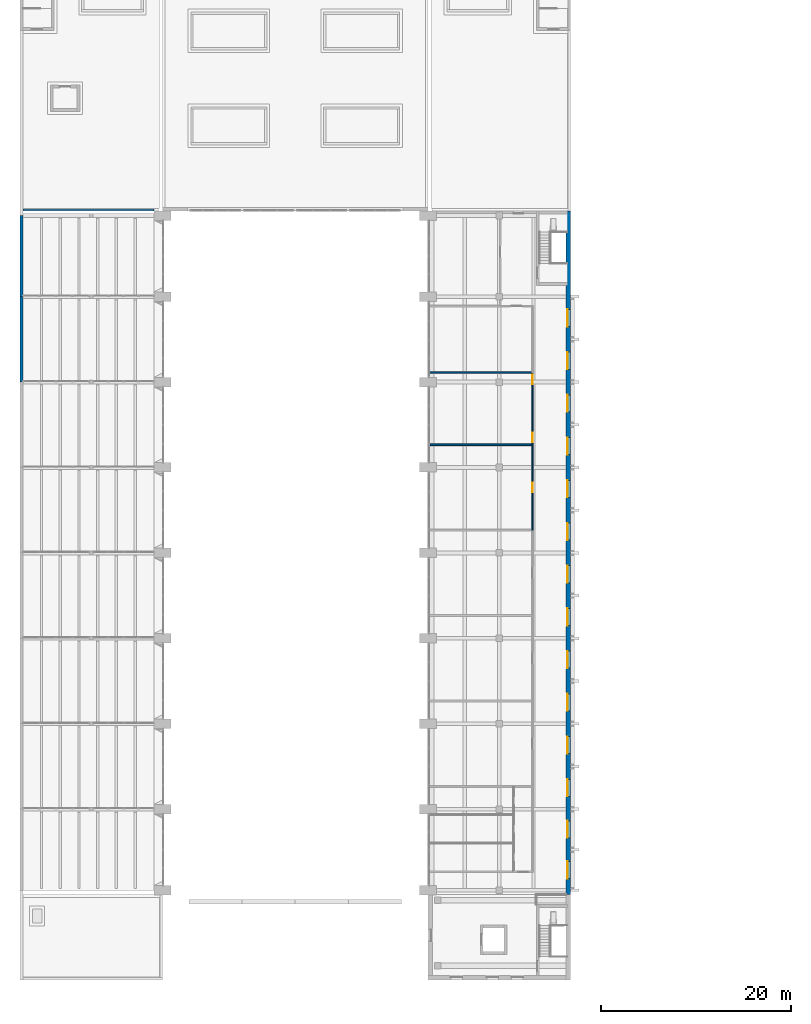
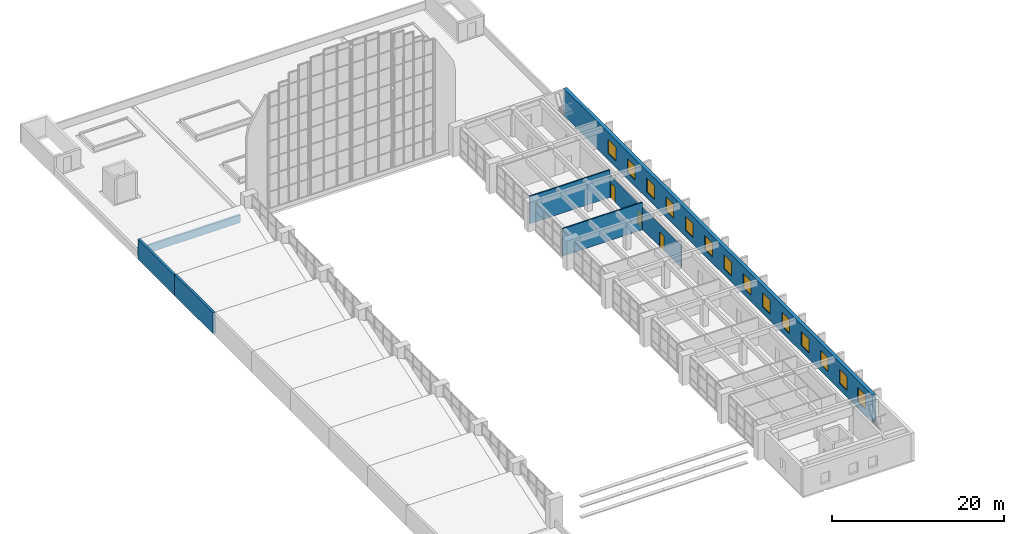
# One storey, part 32 of 43: 14 windows, 8 walls, 3 doors, 17 openings.
"""IFC4 building model written with IfcOpenShell, lengths in metres."""

from ifc_helpers import new_model, si_unit, direction, frame, frame_2d, origin, place, context, subcontext, project, spatial, rectangle, extrude, material, layer, layer_set, type_object, element, fill, save


model = new_model("IFC4")

# Units and contexts
model_context = context("Model", 3, precision=1e-05, world=origin(), true_north=direction((0.0, 1.0)))
body_context = subcontext(model_context, "Body", "Model", "MODEL_VIEW")
ifc_project = project(units=[si_unit("LENGTHUNIT", "METRE"), si_unit("AREAUNIT", "SQUARE_METRE"), si_unit("VOLUMEUNIT", "CUBIC_METRE"), si_unit("PLANEANGLEUNIT", "RADIAN"), si_unit("MASSUNIT", "GRAM", prefix="KILO")], contexts=[model_context])

# Site, building, storey
site_placement = place(None, origin())
site = spatial("IfcSite", under=ifc_project, at=site_placement, CompositionType="ELEMENT")
building_placement = place(site_placement, origin())
building = spatial("IfcBuilding", under=site, at=building_placement, Name="Elmora Arch Market Hall", CompositionType="ELEMENT")
storey_placement = place(building_placement, frame((0.0, 0.0, 10.199951171875)))
storey = spatial("IfcBuildingStorey", under=building, at=storey_placement, Name="L02", CompositionType="ELEMENT", Elevation=10.199951171875)

# Wall, openings, windows
ifc_material_1 = material(Name="Concrete C40/50", Category="concrete")
ifc_layer_1 = layer(ifc_material_1, 0.449951171875)
ifc_layer_set_1 = layer_set([ifc_layer_1], Name="Concrete C40/50")
wall_type_1 = type_object("IfcWallType", Name="Board-marked concrete wall 450", PredefinedType="SOLIDWALL", material=ifc_layer_set_1)
wall_1_placement = place(storey_placement, frame((57.77490234375, 99.0, 0.0), z_axis=(0.0, 0.0, 1.0), x_axis=(0.0, -1.0, 0.0)))
wall_1 = element("IfcWall", 1, at=wall_1_placement, inside=storey, type_object=wall_type_1, Name="Facade wall east EW L02", PredefinedType="SOLIDWALL", context=body_context, shape_type="SweptSolid", body=[
    extrude(rectangle(XDim=72.0, YDim=0.449951171875, at=frame_2d((36.0, 0.0))), origin(), (0.0, 0.0, 1.0), 3.900146484375),
])
opening_1_placement = place(wall_1_placement, frame((68.512451171875, 0.0, 0.89990234375)))
opening_1 = element("IfcOpeningElement", 2, at=opening_1_placement, cuts=wall_1, Name="Opening WA1", PredefinedType="OPENING", context=body_context, shape_type="SweptSolid", body=[
    extrude(rectangle(XDim=1.800048828125, YDim=2.0, at=frame_2d((0.89990234375, 1.0))), frame((0.0, 0.23486328125, 0.0), z_axis=(0.0, -1.0, 0.0), x_axis=(1.0, 0.0, 0.0)), (0.0, 0.0, 1.0), 0.469970703125),
])
opening_2_placement = place(wall_1_placement, frame((64.237548828125, 0.0, 0.89990234375)))
opening_2 = element("IfcOpeningElement", 3, at=opening_2_placement, cuts=wall_1, Name="Opening WA1", PredefinedType="OPENING", context=body_context, shape_type="SweptSolid", body=[
    extrude(rectangle(XDim=1.800048828125, YDim=2.0, at=frame_2d((0.89990234375, 1.0))), frame((0.0, 0.23486328125, 0.0), z_axis=(0.0, -1.0, 0.0), x_axis=(1.0, 0.0, 0.0)), (0.0, 0.0, 1.0), 0.469970703125),
])
opening_3_placement = place(wall_1_placement, frame((59.85009765625, 0.0, 0.89990234375)))
opening_3 = element("IfcOpeningElement", 4, at=opening_3_placement, cuts=wall_1, Name="Opening WA1", PredefinedType="OPENING", context=body_context, shape_type="SweptSolid", body=[
    extrude(rectangle(XDim=1.800048828125, YDim=2.0, at=frame_2d((0.89990234375, 1.0))), frame((0.0, 0.23486328125, 0.0), z_axis=(0.0, -1.0, 0.0), x_axis=(1.0, 0.0, 0.0)), (0.0, 0.0, 1.0), 0.469970703125),
])
opening_4_placement = place(wall_1_placement, frame((55.35009765625, 0.0, 0.89990234375)))
opening_4 = element("IfcOpeningElement", 5, at=opening_4_placement, cuts=wall_1, Name="Opening WA1", PredefinedType="OPENING", context=body_context, shape_type="SweptSolid", body=[
    extrude(rectangle(XDim=1.800048828125, YDim=2.0, at=frame_2d((0.89990234375, 1.0))), frame((0.0, 0.23486328125, 0.0), z_axis=(0.0, -1.0, 0.0), x_axis=(1.0, 0.0, 0.0)), (0.0, 0.0, 1.0), 0.469970703125),
])
opening_5_placement = place(wall_1_placement, frame((50.85009765625, 0.0, 0.89990234375)))
opening_5 = element("IfcOpeningElement", 6, at=opening_5_placement, cuts=wall_1, Name="Opening WA1", PredefinedType="OPENING", context=body_context, shape_type="SweptSolid", body=[
    extrude(rectangle(XDim=1.800048828125, YDim=2.0, at=frame_2d((0.89990234375, 1.0))), frame((0.0, 0.23486328125, 0.0), z_axis=(0.0, -1.0, 0.0), x_axis=(1.0, 0.0, 0.0)), (0.0, 0.0, 1.0), 0.469970703125),
])
opening_6_placement = place(wall_1_placement, frame((46.35009765625, 0.0, 0.89990234375)))
opening_6 = element("IfcOpeningElement", 7, at=opening_6_placement, cuts=wall_1, Name="Opening WA1", PredefinedType="OPENING", context=body_context, shape_type="SweptSolid", body=[
    extrude(rectangle(XDim=1.800048828125, YDim=2.0, at=frame_2d((0.89990234375, 1.0))), frame((0.0, 0.23486328125, 0.0), z_axis=(0.0, -1.0, 0.0), x_axis=(1.0, 0.0, 0.0)), (0.0, 0.0, 1.0), 0.469970703125),
])
opening_7_placement = place(wall_1_placement, frame((41.85009765625, 0.0, 0.89990234375)))
opening_7 = element("IfcOpeningElement", 8, at=opening_7_placement, cuts=wall_1, Name="Opening WA1", PredefinedType="OPENING", context=body_context, shape_type="SweptSolid", body=[
    extrude(rectangle(XDim=1.800048828125, YDim=2.0, at=frame_2d((0.89990234375, 1.0))), frame((0.0, 0.23486328125, 0.0), z_axis=(0.0, -1.0, 0.0), x_axis=(1.0, 0.0, 0.0)), (0.0, 0.0, 1.0), 0.469970703125),
])
opening_8_placement = place(wall_1_placement, frame((37.35009765625, 0.0, 0.89990234375)))
opening_8 = element("IfcOpeningElement", 9, at=opening_8_placement, cuts=wall_1, Name="Opening WA1", PredefinedType="OPENING", context=body_context, shape_type="SweptSolid", body=[
    extrude(rectangle(XDim=1.800048828125, YDim=2.0, at=frame_2d((0.89990234375, 1.0))), frame((0.0, 0.23486328125, 0.0), z_axis=(0.0, -1.0, 0.0), x_axis=(1.0, 0.0, 0.0)), (0.0, 0.0, 1.0), 0.469970703125),
])
opening_9_placement = place(wall_1_placement, frame((32.85009765625, 0.0, 0.89990234375)))
opening_9 = element("IfcOpeningElement", 10, at=opening_9_placement, cuts=wall_1, Name="Opening WA1", PredefinedType="OPENING", context=body_context, shape_type="SweptSolid", body=[
    extrude(rectangle(XDim=1.800048828125, YDim=2.0, at=frame_2d((0.89990234375, 1.0))), frame((0.0, 0.23486328125, 0.0), z_axis=(0.0, -1.0, 0.0), x_axis=(1.0, 0.0, 0.0)), (0.0, 0.0, 1.0), 0.469970703125),
])
opening_10_placement = place(wall_1_placement, frame((28.35009765625, 0.0, 0.89990234375)))
opening_10 = element("IfcOpeningElement", 11, at=opening_10_placement, cuts=wall_1, Name="Opening WA1", PredefinedType="OPENING", context=body_context, shape_type="SweptSolid", body=[
    extrude(rectangle(XDim=1.800048828125, YDim=2.0, at=frame_2d((0.89990234375, 1.0))), frame((0.0, 0.23486328125, 0.0), z_axis=(0.0, -1.0, 0.0), x_axis=(1.0, 0.0, 0.0)), (0.0, 0.0, 1.0), 0.469970703125),
])
opening_11_placement = place(wall_1_placement, frame((23.85009765625, 0.0, 0.89990234375)))
opening_11 = element("IfcOpeningElement", 12, at=opening_11_placement, cuts=wall_1, Name="Opening WA1", PredefinedType="OPENING", context=body_context, shape_type="SweptSolid", body=[
    extrude(rectangle(XDim=1.800048828125, YDim=2.0, at=frame_2d((0.89990234375, 1.0))), frame((0.0, 0.23486328125, 0.0), z_axis=(0.0, -1.0, 0.0), x_axis=(1.0, 0.0, 0.0)), (0.0, 0.0, 1.0), 0.469970703125),
])
opening_12_placement = place(wall_1_placement, frame((19.35009765625, 0.0, 0.89990234375)))
opening_12 = element("IfcOpeningElement", 13, at=opening_12_placement, cuts=wall_1, Name="Opening WA1", PredefinedType="OPENING", context=body_context, shape_type="SweptSolid", body=[
    extrude(rectangle(XDim=1.800048828125, YDim=2.0, at=frame_2d((0.89990234375, 1.0))), frame((0.0, 0.23486328125, 0.0), z_axis=(0.0, -1.0, 0.0), x_axis=(1.0, 0.0, 0.0)), (0.0, 0.0, 1.0), 0.469970703125),
])
opening_13_placement = place(wall_1_placement, frame((14.85009765625, 0.0, 0.89990234375)))
opening_13 = element("IfcOpeningElement", 14, at=opening_13_placement, cuts=wall_1, Name="Opening WA1", PredefinedType="OPENING", context=body_context, shape_type="SweptSolid", body=[
    extrude(rectangle(XDim=1.800048828125, YDim=2.0, at=frame_2d((0.89990234375, 1.0))), frame((0.0, 0.23486328125, 0.0), z_axis=(0.0, -1.0, 0.0), x_axis=(1.0, 0.0, 0.0)), (0.0, 0.0, 1.0), 0.469970703125),
])
opening_14_placement = place(wall_1_placement, frame((10.35009765625, 0.0, 0.89990234375)))
opening_14 = element("IfcOpeningElement", 15, at=opening_14_placement, cuts=wall_1, Name="Opening WA1", PredefinedType="OPENING", context=body_context, shape_type="SweptSolid", body=[
    extrude(rectangle(XDim=1.800048828125, YDim=2.0, at=frame_2d((0.89990234375, 1.0))), frame((0.0, 0.23486328125, 0.0), z_axis=(0.0, -1.0, 0.0), x_axis=(1.0, 0.0, 0.0)), (0.0, 0.0, 1.0), 0.469970703125),
])
ifc_material_2 = material(Name="Aluminium", Category="aluminium")
window_type = type_object("IfcWindowType", Name="Arcade window 1800x2000", PartitioningType="SINGLE_PANEL", PredefinedType="WINDOW", material=ifc_material_2)
window_1_placement = place(opening_1_placement, origin())
window_1 = element("IfcWindow", 16, at=window_1_placement, inside=storey, type_object=window_type, Name="Window WA1 L02 E17", OverallHeight=2.0, OverallWidth=1.800048828125, PartitioningType="SINGLE_PANEL", PredefinedType="WINDOW", context=body_context, shape_type="SweptSolid", body=[
    extrude(rectangle(XDim=1.800048828125, YDim=2.0, at=frame_2d((0.89990234375, 1.0))), frame((0.0, -0.074951171875, 0.0), z_axis=(0.0, -1.0, 0.0), x_axis=(1.0, 0.0, 0.0)), (0.0, 0.0, 1.0), 0.06005859375),
])
fill(opening_1, window_1)
window_2_placement = place(opening_2_placement, origin())
window_2 = element("IfcWindow", 17, at=window_2_placement, inside=storey, type_object=window_type, Name="Window WA1 L02 E18", OverallHeight=2.0, OverallWidth=1.800048828125, PartitioningType="SINGLE_PANEL", PredefinedType="WINDOW", context=body_context, shape_type="SweptSolid", body=[
    extrude(rectangle(XDim=1.800048828125, YDim=2.0, at=frame_2d((0.89990234375, 1.0))), frame((0.0, -0.074951171875, 0.0), z_axis=(0.0, -1.0, 0.0), x_axis=(1.0, 0.0, 0.0)), (0.0, 0.0, 1.0), 0.06005859375),
])
fill(opening_2, window_2)
window_3_placement = place(opening_3_placement, origin())
window_3 = element("IfcWindow", 18, at=window_3_placement, inside=storey, type_object=window_type, Name="Window WA1 L02 E19", OverallHeight=2.0, OverallWidth=1.800048828125, PartitioningType="SINGLE_PANEL", PredefinedType="WINDOW", context=body_context, shape_type="SweptSolid", body=[
    extrude(rectangle(XDim=1.800048828125, YDim=2.0, at=frame_2d((0.89990234375, 1.0))), frame((0.0, -0.074951171875, 0.0), z_axis=(0.0, -1.0, 0.0), x_axis=(1.0, 0.0, 0.0)), (0.0, 0.0, 1.0), 0.06005859375),
])
fill(opening_3, window_3)
window_4_placement = place(opening_4_placement, origin())
window_4 = element("IfcWindow", 19, at=window_4_placement, inside=storey, type_object=window_type, Name="Window WA1 L02 E20", OverallHeight=2.0, OverallWidth=1.800048828125, PartitioningType="SINGLE_PANEL", PredefinedType="WINDOW", context=body_context, shape_type="SweptSolid", body=[
    extrude(rectangle(XDim=1.800048828125, YDim=2.0, at=frame_2d((0.89990234375, 1.0))), frame((0.0, -0.074951171875, 0.0), z_axis=(0.0, -1.0, 0.0), x_axis=(1.0, 0.0, 0.0)), (0.0, 0.0, 1.0), 0.06005859375),
])
fill(opening_4, window_4)
window_5_placement = place(opening_5_placement, origin())
window_5 = element("IfcWindow", 20, at=window_5_placement, inside=storey, type_object=window_type, Name="Window WA1 L02 E21", OverallHeight=2.0, OverallWidth=1.800048828125, PartitioningType="SINGLE_PANEL", PredefinedType="WINDOW", context=body_context, shape_type="SweptSolid", body=[
    extrude(rectangle(XDim=1.800048828125, YDim=2.0, at=frame_2d((0.89990234375, 1.0))), frame((0.0, -0.074951171875, 0.0), z_axis=(0.0, -1.0, 0.0), x_axis=(1.0, 0.0, 0.0)), (0.0, 0.0, 1.0), 0.06005859375),
])
fill(opening_5, window_5)
window_6_placement = place(opening_6_placement, origin())
window_6 = element("IfcWindow", 21, at=window_6_placement, inside=storey, type_object=window_type, Name="Window WA1 L02 E22", OverallHeight=2.0, OverallWidth=1.800048828125, PartitioningType="SINGLE_PANEL", PredefinedType="WINDOW", context=body_context, shape_type="SweptSolid", body=[
    extrude(rectangle(XDim=1.800048828125, YDim=2.0, at=frame_2d((0.89990234375, 1.0))), frame((0.0, -0.074951171875, 0.0), z_axis=(0.0, -1.0, 0.0), x_axis=(1.0, 0.0, 0.0)), (0.0, 0.0, 1.0), 0.06005859375),
])
fill(opening_6, window_6)
window_7_placement = place(opening_7_placement, origin())
window_7 = element("IfcWindow", 22, at=window_7_placement, inside=storey, type_object=window_type, Name="Window WA1 L02 E23", OverallHeight=2.0, OverallWidth=1.800048828125, PartitioningType="SINGLE_PANEL", PredefinedType="WINDOW", context=body_context, shape_type="SweptSolid", body=[
    extrude(rectangle(XDim=1.800048828125, YDim=2.0, at=frame_2d((0.89990234375, 1.0))), frame((0.0, -0.074951171875, 0.0), z_axis=(0.0, -1.0, 0.0), x_axis=(1.0, 0.0, 0.0)), (0.0, 0.0, 1.0), 0.06005859375),
])
fill(opening_7, window_7)
window_8_placement = place(opening_8_placement, origin())
window_8 = element("IfcWindow", 23, at=window_8_placement, inside=storey, type_object=window_type, Name="Window WA1 L02 E24", OverallHeight=2.0, OverallWidth=1.800048828125, PartitioningType="SINGLE_PANEL", PredefinedType="WINDOW", context=body_context, shape_type="SweptSolid", body=[
    extrude(rectangle(XDim=1.800048828125, YDim=2.0, at=frame_2d((0.89990234375, 1.0))), frame((0.0, -0.074951171875, 0.0), z_axis=(0.0, -1.0, 0.0), x_axis=(1.0, 0.0, 0.0)), (0.0, 0.0, 1.0), 0.06005859375),
])
fill(opening_8, window_8)
window_9_placement = place(opening_9_placement, origin())
window_9 = element("IfcWindow", 24, at=window_9_placement, inside=storey, type_object=window_type, Name="Window WA1 L02 E25", OverallHeight=2.0, OverallWidth=1.800048828125, PartitioningType="SINGLE_PANEL", PredefinedType="WINDOW", context=body_context, shape_type="SweptSolid", body=[
    extrude(rectangle(XDim=1.800048828125, YDim=2.0, at=frame_2d((0.89990234375, 1.0))), frame((0.0, -0.074951171875, 0.0), z_axis=(0.0, -1.0, 0.0), x_axis=(1.0, 0.0, 0.0)), (0.0, 0.0, 1.0), 0.06005859375),
])
fill(opening_9, window_9)
window_10_placement = place(opening_10_placement, origin())
window_10 = element("IfcWindow", 25, at=window_10_placement, inside=storey, type_object=window_type, Name="Window WA1 L02 E26", OverallHeight=2.0, OverallWidth=1.800048828125, PartitioningType="SINGLE_PANEL", PredefinedType="WINDOW", context=body_context, shape_type="SweptSolid", body=[
    extrude(rectangle(XDim=1.800048828125, YDim=2.0, at=frame_2d((0.89990234375, 1.0))), frame((0.0, -0.074951171875, 0.0), z_axis=(0.0, -1.0, 0.0), x_axis=(1.0, 0.0, 0.0)), (0.0, 0.0, 1.0), 0.06005859375),
])
fill(opening_10, window_10)
window_11_placement = place(opening_11_placement, origin())
window_11 = element("IfcWindow", 26, at=window_11_placement, inside=storey, type_object=window_type, Name="Window WA1 L02 E27", OverallHeight=2.0, OverallWidth=1.800048828125, PartitioningType="SINGLE_PANEL", PredefinedType="WINDOW", context=body_context, shape_type="SweptSolid", body=[
    extrude(rectangle(XDim=1.800048828125, YDim=2.0, at=frame_2d((0.89990234375, 1.0))), frame((0.0, -0.074951171875, 0.0), z_axis=(0.0, -1.0, 0.0), x_axis=(1.0, 0.0, 0.0)), (0.0, 0.0, 1.0), 0.06005859375),
])
fill(opening_11, window_11)
window_12_placement = place(opening_12_placement, origin())
window_12 = element("IfcWindow", 27, at=window_12_placement, inside=storey, type_object=window_type, Name="Window WA1 L02 E28", OverallHeight=2.0, OverallWidth=1.800048828125, PartitioningType="SINGLE_PANEL", PredefinedType="WINDOW", context=body_context, shape_type="SweptSolid", body=[
    extrude(rectangle(XDim=1.800048828125, YDim=2.0, at=frame_2d((0.89990234375, 1.0))), frame((0.0, -0.074951171875, 0.0), z_axis=(0.0, -1.0, 0.0), x_axis=(1.0, 0.0, 0.0)), (0.0, 0.0, 1.0), 0.06005859375),
])
fill(opening_12, window_12)
window_13_placement = place(opening_13_placement, origin())
window_13 = element("IfcWindow", 28, at=window_13_placement, inside=storey, type_object=window_type, Name="Window WA1 L02 E29", OverallHeight=2.0, OverallWidth=1.800048828125, PartitioningType="SINGLE_PANEL", PredefinedType="WINDOW", context=body_context, shape_type="SweptSolid", body=[
    extrude(rectangle(XDim=1.800048828125, YDim=2.0, at=frame_2d((0.89990234375, 1.0))), frame((0.0, -0.074951171875, 0.0), z_axis=(0.0, -1.0, 0.0), x_axis=(1.0, 0.0, 0.0)), (0.0, 0.0, 1.0), 0.06005859375),
])
fill(opening_13, window_13)
window_14_placement = place(opening_14_placement, origin())
window_14 = element("IfcWindow", 29, at=window_14_placement, inside=storey, type_object=window_type, Name="Window WA1 L02 E30", OverallHeight=2.0, OverallWidth=1.800048828125, PartitioningType="SINGLE_PANEL", PredefinedType="WINDOW", context=body_context, shape_type="SweptSolid", body=[
    extrude(rectangle(XDim=1.800048828125, YDim=2.0, at=frame_2d((0.89990234375, 1.0))), frame((0.0, -0.074951171875, 0.0), z_axis=(0.0, -1.0, 0.0), x_axis=(1.0, 0.0, 0.0)), (0.0, 0.0, 1.0), 0.06005859375),
])
fill(opening_14, window_14)

# Wall
ifc_material_3 = material(Name="Concrete C40/50", Category="concrete")
ifc_layer_2 = layer(ifc_material_3, 0.25)
ifc_layer_set_2 = layer_set([ifc_layer_2], Name="Concrete C40/50")
wall_type_2 = type_object("IfcWallType", Name="Concrete parapet 250", PredefinedType="PARAPET", material=ifc_layer_set_2)
wall_2_placement = place(storey_placement, frame((14.10009765625, 99.125, 0.0), z_axis=(0.0, 0.0, 1.0), x_axis=(-1.0, 0.0, 0.0)))
element("IfcWall", 30, at=wall_2_placement, inside=storey, type_object=wall_type_2, Name="Garden parapet south W", PredefinedType="PARAPET", context=body_context, shape_type="SweptSolid", body=[
    extrude(rectangle(XDim=13.800048828125, YDim=0.25, at=frame_2d((6.89990234375, 0.0))), origin(), (0.0, 0.0, 1.0), 1.10009765625),
])

# Wall, opening, door
ifc_material_4 = material(Name="Gypsum board on metal studs")
ifc_layer_3 = layer(ifc_material_4, 0.125)
ifc_layer_set_3 = layer_set([ifc_layer_3], Name="Gypsum board on metal studs")
wall_type_3 = type_object("IfcWallType", Name="Partition 125 EI 60", PredefinedType="PARTITIONING", material=ifc_layer_set_3)
wall_3_placement = place(storey_placement, frame((54.0, 65.39990234375, 0.0), z_axis=(0.0, 0.0, 1.0), x_axis=(0.0, 1.0, 0.0)))
wall_3 = element("IfcWall", 31, at=wall_3_placement, inside=storey, type_object=wall_type_3, Name="Partition PT-L02-039", PredefinedType="PARTITIONING", context=body_context, shape_type="SweptSolid", body=[
    extrude(rectangle(XDim=9.0, YDim=0.125, at=frame_2d((4.5, 0.0))), origin(), (0.0, 0.0, 1.0), 3.150146484375),
])
opening_15_placement = place(wall_3_placement, frame((4.0, 0.0, 0.0)))
opening_15 = element("IfcOpeningElement", 32, at=opening_15_placement, cuts=wall_3, Name="Opening D-L02-008", PredefinedType="OPENING", context=body_context, shape_type="SweptSolid", body=[
    extrude(rectangle(XDim=1.0, YDim=2.10009765625, at=frame_2d((0.5, 1.050048828125))), frame((0.0, 0.072509765625, 0.0), z_axis=(0.0, -1.0, 0.0), x_axis=(1.0, 0.0, 0.0)), (0.0, 0.0, 1.0), 0.14501953125),
])
ifc_material_5 = material(Name="Steel ASTM A653 galvanised", Category="steel")
door_type = type_object("IfcDoorType", Name="Door 1000 x 2100 FD45", OperationType="SINGLE_SWING_LEFT", PredefinedType="DOOR", material=ifc_material_5)
door_1_placement = place(opening_15_placement, origin())
door_1 = element("IfcDoor", 33, at=door_1_placement, inside=storey, type_object=door_type, Name="D-L02-008", OperationType="SINGLE_SWING_LEFT", OverallHeight=2.10009765625, OverallWidth=1.0, PredefinedType="DOOR", context=body_context, shape_type="SweptSolid", body=[
    extrude(rectangle(XDim=1.0, YDim=2.10009765625, at=frame_2d((0.5, 1.050048828125))), frame((0.0, 0.02490234375, 0.0), z_axis=(0.0, -1.0, 0.0), x_axis=(1.0, 0.0, 0.0)), (0.0, 0.0, 1.0), 0.050048828125),
])
fill(opening_15, door_1)

# Wall, openings, doors
wall_4_placement = place(storey_placement, frame((54.0, 74.39990234375, 0.0), z_axis=(0.0, 0.0, 1.0), x_axis=(0.0, 1.0, 0.0)))
wall_4 = element("IfcWall", 34, at=wall_4_placement, inside=storey, type_object=wall_type_3, Name="Partition PT-L02-040", PredefinedType="PARTITIONING", context=body_context, shape_type="SweptSolid", body=[
    extrude(rectangle(XDim=7.60009765625, YDim=0.125, at=frame_2d((3.800048828125, 0.0))), origin(), (0.0, 0.0, 1.0), 3.150146484375),
])
opening_16_placement = place(wall_4_placement, frame((0.25, 0.0, 0.0)))
opening_16 = element("IfcOpeningElement", 35, at=opening_16_placement, cuts=wall_4, Name="Opening D-L02-009", PredefinedType="OPENING", context=body_context, shape_type="SweptSolid", body=[
    extrude(rectangle(XDim=1.0, YDim=2.10009765625, at=frame_2d((0.5, 1.050048828125))), frame((0.0, 0.072509765625, 0.0), z_axis=(0.0, -1.0, 0.0), x_axis=(1.0, 0.0, 0.0)), (0.0, 0.0, 1.0), 0.14501953125),
])
opening_17_placement = place(wall_4_placement, frame((6.35009765625, 0.0, 0.0)))
opening_17 = element("IfcOpeningElement", 36, at=opening_17_placement, cuts=wall_4, Name="Opening D-L02-010", PredefinedType="OPENING", context=body_context, shape_type="SweptSolid", body=[
    extrude(rectangle(XDim=1.0, YDim=2.10009765625, at=frame_2d((0.5, 1.050048828125))), frame((0.0, 0.072509765625, 0.0), z_axis=(0.0, -1.0, 0.0), x_axis=(1.0, 0.0, 0.0)), (0.0, 0.0, 1.0), 0.14501953125),
])
door_2_placement = place(opening_16_placement, origin())
door_2 = element("IfcDoor", 37, at=door_2_placement, inside=storey, type_object=door_type, Name="D-L02-009", OperationType="SINGLE_SWING_LEFT", OverallHeight=2.10009765625, OverallWidth=1.0, PredefinedType="DOOR", context=body_context, shape_type="SweptSolid", body=[
    extrude(rectangle(XDim=1.0, YDim=2.10009765625, at=frame_2d((0.5, 1.050048828125))), frame((0.0, 0.02490234375, 0.0), z_axis=(0.0, -1.0, 0.0), x_axis=(1.0, 0.0, 0.0)), (0.0, 0.0, 1.0), 0.050048828125),
])
fill(opening_16, door_2)
door_3_placement = place(opening_17_placement, origin())
door_3 = element("IfcDoor", 38, at=door_3_placement, inside=storey, type_object=door_type, Name="D-L02-010", OperationType="SINGLE_SWING_RIGHT", OverallHeight=2.10009765625, OverallWidth=1.0, PredefinedType="DOOR", context=body_context, shape_type="SweptSolid", body=[
    extrude(rectangle(XDim=1.0, YDim=2.10009765625, at=frame_2d((0.5, 1.050048828125))), frame((0.0, 0.02490234375, 0.0), z_axis=(0.0, -1.0, 0.0), x_axis=(1.0, 0.0, 0.0)), (0.0, 0.0, 1.0), 0.050048828125),
])
fill(opening_17, door_3)

# Walls
ifc_material_6 = material(Name="Gypsum board on metal studs")
ifc_layer_4 = layer(ifc_material_6, 0.175048828125)
ifc_layer_set_4 = layer_set([ifc_layer_4], Name="Gypsum board on metal studs")
wall_type_4 = type_object("IfcWallType", Name="Partition 175 EI 60", PredefinedType="PARTITIONING", material=ifc_layer_set_4)
for number, where, z_axis, x_axis, name in (
    (39, (43.14990234375, 74.39990234375, 0.0), (0.0, 0.0, 1.0), (1.0, 0.0, 0.0), "Partition PT-L02-011"),
    (40, (43.14990234375, 82.0, 0.0), (0.0, 0.0, 1.0), (1.0, 0.0, 0.0), "Partition PT-L02-012"),
):
    element("IfcWall", number, at=place(storey_placement, frame(where, z_axis=z_axis, x_axis=x_axis)), inside=storey, type_object=wall_type_4, Name=name, PredefinedType="PARTITIONING", context=body_context, shape_type="SweptSolid", body=[
        extrude(rectangle(XDim=10.78759765625, YDim=0.175048828125, at=frame_2d((5.393798828125, 0.0))), origin(), (0.0, 0.0, 1.0), 3.900146484375),
    ])
ifc_material_7 = material(Name="Concrete C40/50", Category="concrete")
ifc_layer_5 = layer(ifc_material_7, 0.300048828125)
ifc_layer_set_5 = layer_set([ifc_layer_5], Name="Concrete C40/50")
wall_type_5 = type_object("IfcWallType", Name="Party wall 300", PredefinedType="SHEAR", material=ifc_layer_set_5)
wall_5_placement = place(storey_placement, frame((0.14990234375, 81.0, 0.0), z_axis=(0.0, 0.0, 1.0), x_axis=(0.0, 1.0, 0.0)))
element("IfcWall", 41, at=wall_5_placement, inside=storey, type_object=wall_type_5, Name="Party wall W L02 tooth 7", PredefinedType="SHEAR", context=body_context, shape_type="SweptSolid", body=[
    extrude(rectangle(XDim=9.0, YDim=0.300048828125, at=frame_2d((4.5, 0.0))), origin(), (0.0, 0.0, 1.0), 3.0),
])
wall_6_placement = place(storey_placement, frame((0.14990234375, 90.0, 0.0), z_axis=(0.0, 0.0, 1.0), x_axis=(0.0, 1.0, 0.0)))
element("IfcWall", 42, at=wall_6_placement, inside=storey, type_object=wall_type_5, Name="Party wall W L02 tooth 8", PredefinedType="SHEAR", context=body_context, shape_type="SweptSolid", body=[
    extrude(rectangle(XDim=8.550048828125, YDim=0.300048828125, at=frame_2d((4.27490234375, 0.0))), origin(), (0.0, 0.0, 1.0), 2.85009765625),
])

save(model, "model.ifc")
